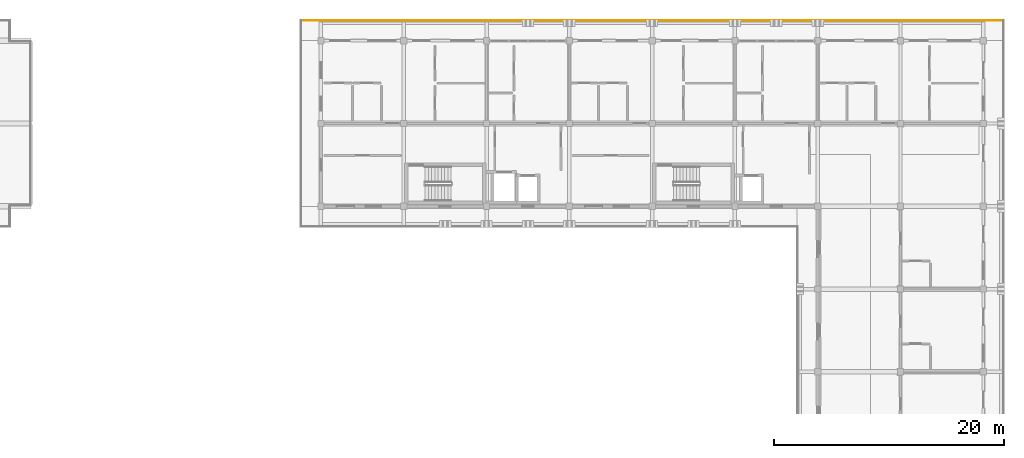
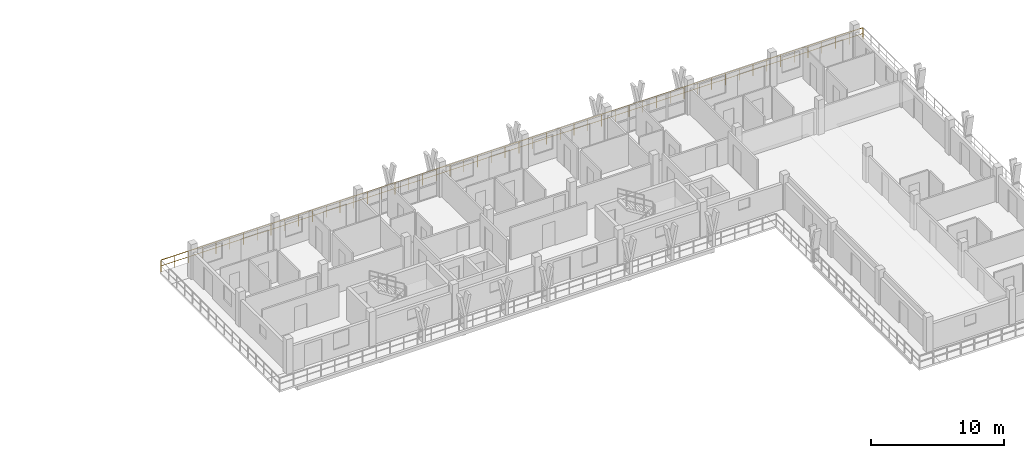
# One storey, part 65 of 65: 1 railing.
"""IFC4 building model written with IfcOpenShell, lengths in metres."""

from ifc_helpers import new_model, si_unit, direction, frame, origin, origin_2d, place, context, subcontext, project, spatial, rectangle, extrude, material, type_object, element, save


model = new_model("IFC4")

# Units and contexts
model_context = context("Model", 3, precision=1e-05, world=origin(), true_north=direction((0.0, 1.0)))
body_context = subcontext(model_context, "Body", "Model", "MODEL_VIEW")
ifc_project = project(units=[si_unit("LENGTHUNIT", "METRE"), si_unit("AREAUNIT", "SQUARE_METRE"), si_unit("VOLUMEUNIT", "CUBIC_METRE"), si_unit("PLANEANGLEUNIT", "RADIAN"), si_unit("MASSUNIT", "GRAM", prefix="KILO")], contexts=[model_context])

# Site, building, storey
site_placement = place(None, origin())
site = spatial("IfcSite", under=ifc_project, at=site_placement, CompositionType="ELEMENT")
building_placement = place(site_placement, origin())
building = spatial("IfcBuilding", under=site, at=building_placement, Name="Suanplinth Sawtooth Commons", CompositionType="ELEMENT")
storey_placement = place(building_placement, frame((0.0, 0.0, 28.300048828125)))
storey = spatial("IfcBuildingStorey", under=building, at=storey_placement, Name="L08", CompositionType="ELEMENT", Elevation=28.300048828125)

# Railing
ifc_material = material(Name="Powder-coated galvanized steel", Category="steel")
railing_type = type_object("IfcRailingType", Name="GR-01", PredefinedType="BALUSTRADE", material=ifc_material)
railing_placement = place(storey_placement, frame((127.860107421875, 124.139892578125, 0.0)))
element("IfcRailing", 1, at=railing_placement, inside=storey, type_object=railing_type, Name="L08 Block B Perimeter Balustrade 4", PredefinedType="BALUSTRADE", context=body_context, shape_type="SweptSolid", body=[
    extrude(rectangle(XDim=0.048095703125, YDim=0.048095703125, at=origin_2d()), frame((0.0, 0.0, 1.09619140625), z_axis=(1.0, 0.0, 0.0), x_axis=(0.0, 1.0, 0.0)), (0.0, 0.0, 1.0), 61.079833984375),
    extrude(rectangle(XDim=0.03369140625, YDim=0.03369140625, at=origin_2d()), frame((0.0, 0.0, 0.56005859375), z_axis=(1.0, 0.0, 0.0), x_axis=(0.0, 1.0, 0.0)), (0.0, 0.0, 1.0), 61.079833984375),
    extrude(rectangle(XDim=0.0419921875, YDim=0.0419921875, at=origin_2d()), origin(), (0.0, 0.0, 1.0), 1.072021484375),
    extrude(rectangle(XDim=0.0419921875, YDim=0.0419921875, at=origin_2d()), frame((1.19775390625, 0.0, 0.0)), (0.0, 0.0, 1.0), 1.072021484375),
    extrude(rectangle(XDim=0.0419921875, YDim=0.0419921875, at=origin_2d()), frame((2.395263671875, 0.0, 0.0)), (0.0, 0.0, 1.0), 1.072021484375),
    extrude(rectangle(XDim=0.0419921875, YDim=0.0419921875, at=origin_2d()), frame((3.593017578125, 0.0, 0.0)), (0.0, 0.0, 1.0), 1.072021484375),
    extrude(rectangle(XDim=0.0419921875, YDim=0.0419921875, at=origin_2d()), frame((4.79052734375, 0.0, 0.0)), (0.0, 0.0, 1.0), 1.072021484375),
    extrude(rectangle(XDim=0.0419921875, YDim=0.0419921875, at=origin_2d()), frame((5.98828125, 0.0, 0.0)), (0.0, 0.0, 1.0), 1.072021484375),
    extrude(rectangle(XDim=0.0419921875, YDim=0.0419921875, at=origin_2d()), frame((7.185791015625, 0.0, 0.0)), (0.0, 0.0, 1.0), 1.072021484375),
    extrude(rectangle(XDim=0.0419921875, YDim=0.0419921875, at=origin_2d()), frame((8.383544921875, 0.0, 0.0)), (0.0, 0.0, 1.0), 1.072021484375),
    extrude(rectangle(XDim=0.0419921875, YDim=0.0419921875, at=origin_2d()), frame((9.5810546875, 0.0, 0.0)), (0.0, 0.0, 1.0), 1.072021484375),
    extrude(rectangle(XDim=0.0419921875, YDim=0.0419921875, at=origin_2d()), frame((10.77880859375, 0.0, 0.0)), (0.0, 0.0, 1.0), 1.072021484375),
    extrude(rectangle(XDim=0.0419921875, YDim=0.0419921875, at=origin_2d()), frame((11.976318359375, 0.0, 0.0)), (0.0, 0.0, 1.0), 1.072021484375),
    extrude(rectangle(XDim=0.0419921875, YDim=0.0419921875, at=origin_2d()), frame((13.174072265625, 0.0, 0.0)), (0.0, 0.0, 1.0), 1.072021484375),
    extrude(rectangle(XDim=0.0419921875, YDim=0.0419921875, at=origin_2d()), frame((14.371826171875, 0.0, 0.0)), (0.0, 0.0, 1.0), 1.072021484375),
    extrude(rectangle(XDim=0.0419921875, YDim=0.0419921875, at=origin_2d()), frame((15.5693359375, 0.0, 0.0)), (0.0, 0.0, 1.0), 1.072021484375),
    extrude(rectangle(XDim=0.0419921875, YDim=0.0419921875, at=origin_2d()), frame((16.76708984375, 0.0, 0.0)), (0.0, 0.0, 1.0), 1.072021484375),
    extrude(rectangle(XDim=0.0419921875, YDim=0.0419921875, at=origin_2d()), frame((17.964599609375, 0.0, 0.0)), (0.0, 0.0, 1.0), 1.072021484375),
    extrude(rectangle(XDim=0.0419921875, YDim=0.0419921875, at=origin_2d()), frame((19.162353515625, 0.0, 0.0)), (0.0, 0.0, 1.0), 1.072021484375),
    extrude(rectangle(XDim=0.0419921875, YDim=0.0419921875, at=origin_2d()), frame((20.35986328125, 0.0, 0.0)), (0.0, 0.0, 1.0), 1.072021484375),
    extrude(rectangle(XDim=0.0419921875, YDim=0.0419921875, at=origin_2d()), frame((21.5576171875, 0.0, 0.0)), (0.0, 0.0, 1.0), 1.072021484375),
    extrude(rectangle(XDim=0.0419921875, YDim=0.0419921875, at=origin_2d()), frame((22.755126953125, 0.0, 0.0)), (0.0, 0.0, 1.0), 1.072021484375),
    extrude(rectangle(XDim=0.0419921875, YDim=0.0419921875, at=origin_2d()), frame((23.952880859375, 0.0, 0.0)), (0.0, 0.0, 1.0), 1.072021484375),
    extrude(rectangle(XDim=0.0419921875, YDim=0.0419921875, at=origin_2d()), frame((25.150634765625, 0.0, 0.0)), (0.0, 0.0, 1.0), 1.072021484375),
    extrude(rectangle(XDim=0.0419921875, YDim=0.0419921875, at=origin_2d()), frame((26.34814453125, 0.0, 0.0)), (0.0, 0.0, 1.0), 1.072021484375),
    extrude(rectangle(XDim=0.0419921875, YDim=0.0419921875, at=origin_2d()), frame((27.5458984375, 0.0, 0.0)), (0.0, 0.0, 1.0), 1.072021484375),
    extrude(rectangle(XDim=0.0419921875, YDim=0.0419921875, at=origin_2d()), frame((28.743408203125, 0.0, 0.0)), (0.0, 0.0, 1.0), 1.072021484375),
    extrude(rectangle(XDim=0.0419921875, YDim=0.0419921875, at=origin_2d()), frame((29.941162109375, 0.0, 0.0)), (0.0, 0.0, 1.0), 1.072021484375),
    extrude(rectangle(XDim=0.0419921875, YDim=0.0419921875, at=origin_2d()), frame((31.138671875, 0.0, 0.0)), (0.0, 0.0, 1.0), 1.072021484375),
    extrude(rectangle(XDim=0.0419921875, YDim=0.0419921875, at=origin_2d()), frame((32.33642578125, 0.0, 0.0)), (0.0, 0.0, 1.0), 1.072021484375),
    extrude(rectangle(XDim=0.0419921875, YDim=0.0419921875, at=origin_2d()), frame((33.533935546875, 0.0, 0.0)), (0.0, 0.0, 1.0), 1.072021484375),
    extrude(rectangle(XDim=0.0419921875, YDim=0.0419921875, at=origin_2d()), frame((34.731689453125, 0.0, 0.0)), (0.0, 0.0, 1.0), 1.072021484375),
    extrude(rectangle(XDim=0.0419921875, YDim=0.0419921875, at=origin_2d()), frame((35.92919921875, 0.0, 0.0)), (0.0, 0.0, 1.0), 1.072021484375),
    extrude(rectangle(XDim=0.0419921875, YDim=0.0419921875, at=origin_2d()), frame((37.126953125, 0.0, 0.0)), (0.0, 0.0, 1.0), 1.072021484375),
    extrude(rectangle(XDim=0.0419921875, YDim=0.0419921875, at=origin_2d()), frame((38.32470703125, 0.0, 0.0)), (0.0, 0.0, 1.0), 1.072021484375),
    extrude(rectangle(XDim=0.0419921875, YDim=0.0419921875, at=origin_2d()), frame((39.522216796875, 0.0, 0.0)), (0.0, 0.0, 1.0), 1.072021484375),
    extrude(rectangle(XDim=0.0419921875, YDim=0.0419921875, at=origin_2d()), frame((40.719970703125, 0.0, 0.0)), (0.0, 0.0, 1.0), 1.072021484375),
    extrude(rectangle(XDim=0.0419921875, YDim=0.0419921875, at=origin_2d()), frame((41.91748046875, 0.0, 0.0)), (0.0, 0.0, 1.0), 1.072021484375),
    extrude(rectangle(XDim=0.0419921875, YDim=0.0419921875, at=origin_2d()), frame((43.115234375, 0.0, 0.0)), (0.0, 0.0, 1.0), 1.072021484375),
    extrude(rectangle(XDim=0.0419921875, YDim=0.0419921875, at=origin_2d()), frame((44.312744140625, 0.0, 0.0)), (0.0, 0.0, 1.0), 1.072021484375),
    extrude(rectangle(XDim=0.0419921875, YDim=0.0419921875, at=origin_2d()), frame((45.510498046875, 0.0, 0.0)), (0.0, 0.0, 1.0), 1.072021484375),
    extrude(rectangle(XDim=0.0419921875, YDim=0.0419921875, at=origin_2d()), frame((46.7080078125, 0.0, 0.0)), (0.0, 0.0, 1.0), 1.072021484375),
    extrude(rectangle(XDim=0.0419921875, YDim=0.0419921875, at=origin_2d()), frame((47.90576171875, 0.0, 0.0)), (0.0, 0.0, 1.0), 1.072021484375),
    extrude(rectangle(XDim=0.0419921875, YDim=0.0419921875, at=origin_2d()), frame((49.103515625, 0.0, 0.0)), (0.0, 0.0, 1.0), 1.072021484375),
    extrude(rectangle(XDim=0.0419921875, YDim=0.0419921875, at=origin_2d()), frame((50.301025390625, 0.0, 0.0)), (0.0, 0.0, 1.0), 1.072021484375),
    extrude(rectangle(XDim=0.0419921875, YDim=0.0419921875, at=origin_2d()), frame((51.498779296875, 0.0, 0.0)), (0.0, 0.0, 1.0), 1.072021484375),
    extrude(rectangle(XDim=0.0419921875, YDim=0.0419921875, at=origin_2d()), frame((52.6962890625, 0.0, 0.0)), (0.0, 0.0, 1.0), 1.072021484375),
    extrude(rectangle(XDim=0.0419921875, YDim=0.0419921875, at=origin_2d()), frame((53.89404296875, 0.0, 0.0)), (0.0, 0.0, 1.0), 1.072021484375),
    extrude(rectangle(XDim=0.0419921875, YDim=0.0419921875, at=origin_2d()), frame((55.091552734375, 0.0, 0.0)), (0.0, 0.0, 1.0), 1.072021484375),
    extrude(rectangle(XDim=0.0419921875, YDim=0.0419921875, at=origin_2d()), frame((56.289306640625, 0.0, 0.0)), (0.0, 0.0, 1.0), 1.072021484375),
    extrude(rectangle(XDim=0.0419921875, YDim=0.0419921875, at=origin_2d()), frame((57.48681640625, 0.0, 0.0)), (0.0, 0.0, 1.0), 1.072021484375),
    extrude(rectangle(XDim=0.0419921875, YDim=0.0419921875, at=origin_2d()), frame((58.6845703125, 0.0, 0.0)), (0.0, 0.0, 1.0), 1.072021484375),
    extrude(rectangle(XDim=0.0419921875, YDim=0.0419921875, at=origin_2d()), frame((59.882080078125, 0.0, 0.0)), (0.0, 0.0, 1.0), 1.072021484375),
    extrude(rectangle(XDim=0.0419921875, YDim=0.0419921875, at=origin_2d()), frame((61.079833984375, 0.0, 0.0)), (0.0, 0.0, 1.0), 1.072021484375),
])

save(model, "model.ifc")
